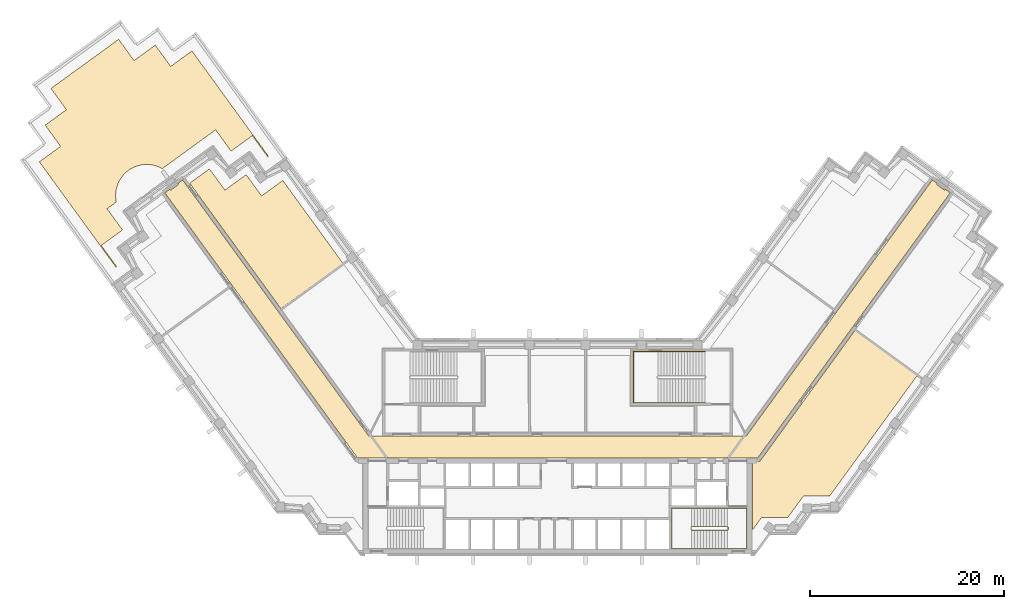
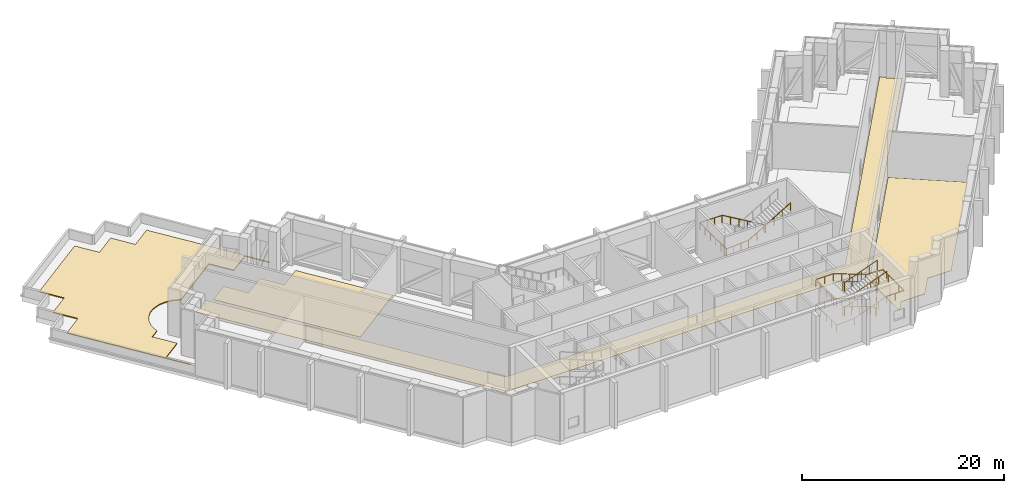
# One storey, part 15 of 16: 4 coverings, 3 railings.
"""IFC4 building model written with IfcOpenShell, lengths in metres."""

from ifc_helpers import new_model, si_unit, direction, frame, origin, origin_2d, place, context, subcontext, project, spatial, polyline, circle, outline, extrude, material, layer, layer_set, type_object, element, save


model = new_model("IFC4")

# Units and contexts
model_context = context("Model", 3, precision=1e-05, world=origin(), true_north=direction((0.0, 1.0)))
body_context = subcontext(model_context, "Body", "Model", "MODEL_VIEW")
ifc_project = project(units=[si_unit("LENGTHUNIT", "METRE"), si_unit("AREAUNIT", "SQUARE_METRE"), si_unit("VOLUMEUNIT", "CUBIC_METRE"), si_unit("PLANEANGLEUNIT", "RADIAN"), si_unit("MASSUNIT", "GRAM", prefix="KILO")], contexts=[model_context])

# Site, building, storey
site_placement = place(None, origin())
site = spatial("IfcSite", under=ifc_project, at=site_placement, CompositionType="ELEMENT")
building_placement = place(site_placement, origin())
building = spatial("IfcBuilding", under=site, at=building_placement, Name="Quipu Civic Tower", CompositionType="ELEMENT")
storey_placement = place(building_placement, frame((0.0, 0.0, 133.0)))
storey = spatial("IfcBuildingStorey", under=building, at=storey_placement, Name="L31", CompositionType="ELEMENT", Elevation=133.0)

# Coverings
ifc_material_1 = material(Name="Roof membrane and gravel ballast")
ifc_layer_1 = layer(ifc_material_1, 0.1201171875)
ifc_layer_set_1 = layer_set([ifc_layer_1], Name="Roof membrane and gravel ballast")
covering_type_1 = type_object("IfcCoveringType", Name="Roof membrane and ballast build-up", PredefinedType="ROOFING", material=ifc_layer_set_1)
covering_1_placement = place(storey_placement, origin())
element("IfcCovering", 1, at=covering_1_placement, inside=storey, type_object=covering_type_1, Name="Roof build-up L31 1", PredefinedType="ROOFING", context=body_context, shape_type="SweptSolid", body=[
    extrude(outline(polyline([(-51.1142578125, 30.916015625), (-52.701171875, 33.100341796875), (-50.516845703125, 34.687255859375), (-52.10400390625, 36.87158203125), (-45.146484375, 41.926513671875), (-43.559326171875, 39.7421875), (-41.375, 41.329345703125), (-39.7880859375, 39.14501953125), (-37.603515625, 40.73193359375), (-29.727294921875, 29.89111328125), (-29.80810546875, 29.832275390625), (-31.395263671875, 32.0166015625), (-33.57958984375, 30.4296875), (-35.16650390625, 32.614013671875), (-40.6513671875, 28.629150390625), (-41.025390625, 28.8173828125), (-41.321044921875, 28.923095703125), (-41.625732421875, 28.99951171875), (-41.936279296875, 29.045654296875), (-42.25, 29.06103515625), (-42.563720703125, 29.045654296875), (-42.874267578125, 28.99951171875), (-43.178955078125, 28.923095703125), (-43.474609375, 28.8173828125), (-43.758544921875, 28.68310546875), (-44.02783203125, 28.521728515625), (-44.280029296875, 28.334716796875), (-44.5126953125, 28.123779296875), (-44.7236328125, 27.89111328125), (-44.91064453125, 27.638916015625), (-45.072021484375, 27.369384765625), (-45.206298828125, 27.085693359375), (-45.312255859375, 26.789794921875), (-45.388427734375, 26.4853515625), (-45.4345703125, 26.1748046875), (-45.449951171875, 25.861083984375), (-45.4345703125, 25.54736328125), (-45.378173828125, 25.195068359375), (-46.3310546875, 24.502685546875), (-44.743896484375, 22.318115234375), (-46.928466796875, 20.731201171875), (-45.34130859375, 18.546875), (-45.422119140625, 18.488037109375), (-53.298583984375, 29.328857421875), (-51.1142578125, 30.916015625)])), origin(), (0.0, 0.0, 1.0), 0.1201171875),
])
ifc_material_2 = material(Name="Sealed cement screed")
ifc_layer_2 = layer(ifc_material_2, 0.050048828125)
ifc_layer_set_2 = layer_set([ifc_layer_2], Name="Sealed cement screed")
covering_type_2 = type_object("IfcCoveringType", Name="Sealed screed floor finish 50", PredefinedType="FLOORING", material=ifc_layer_set_2)
covering_2_placement = place(storey_placement, origin())
element("IfcCovering", 2, at=covering_2_placement, inside=storey, type_object=covering_type_2, Name="Sealed screed floor finish 50", PredefinedType="FLOORING", context=body_context, shape_type="SweptSolid", body=[
    extrude(outline(polyline([(-37.83203125, 27.1298828125), (-35.801025390625, 28.60498046875), (-34.212890625, 26.4208984375), (-32.030029296875, 28.008056640625), (-30.44189453125, 25.823974609375), (-28.258056640625, 27.409912109375), (-22.054931640625, 18.87109375), (-28.4541015625, 14.221923828125), (-37.83203125, 27.1298828125)])), origin(), (0.0, 0.0, 1.0), 0.050048828125),
])
covering_3_placement = place(storey_placement, origin())
element("IfcCovering", 3, at=covering_3_placement, inside=storey, type_object=covering_type_2, Name="Sealed screed floor finish 50", PredefinedType="FLOORING", context=body_context, shape_type="SweptSolid", body=[
    extrude(outline(polyline([(20.070068359375, -8.514892578125), (20.070068359375, -1.52001953125), (20.77490234375, -1.51904296875), (30.590087890625, 11.989990234375), (36.989013671875, 7.341064453125), (27.97900390625, -5.06103515625), (25.279052734375, -5.06103515625), (23.69189453125, -7.24609375), (20.991943359375, -7.24609375), (20.070068359375, -8.514892578125)])), origin(), (0.0, 0.0, 1.0), 0.050048828125),
])

# Railings
ifc_material_3 = material(Name="Stainless steel", Category="steel")
railing_type_1 = type_object("IfcRailingType", Name="Stair guard 1100", PredefinedType="GUARDRAIL", material=ifc_material_3)
railing_1_placement = place(storey_placement, frame((17.5, -8.199951171875, 0.115478515625)))
element("IfcRailing", 4, at=railing_1_placement, inside=storey, type_object=railing_type_1, Name="Stair 2 guard", PredefinedType="GUARDRAIL", context=body_context, shape_type="SweptSolid", body=[
    extrude(circle(Radius=0.02392578125, at=origin_2d()), frame((0.0, 0.0, 1.076171875), z_axis=(-0.937193329374, 0.0, 0.348810354458), x_axis=(0.0, -1.0, 0.0)), (0.0, 0.0, 1.0), 3.96923828125),
    extrude(circle(Radius=0.02392578125, at=origin_2d()), frame((-3.719970703125, 0.0, 2.46044921875), z_axis=(-0.707106781187, -0.707106781187, 0.0), x_axis=(0.707106781187, -0.707106781187, 0.0)), (0.0, 0.0, 1.0), 0.07080078125),
    extrude(circle(Radius=0.02392578125, at=origin_2d()), frame((-3.77001953125, -0.050048828125, 2.46044921875), z_axis=(0.0, -1.0, 0.0), x_axis=(1.0, 0.0, 0.0)), (0.0, 0.0, 1.0), 0.25),
    extrude(circle(Radius=0.02392578125, at=origin_2d()), frame((-3.77001953125, -0.300048828125, 2.46044921875), z_axis=(0.3695169537, -0.3695169537, 0.852592776099), x_axis=(0.707106781187, 0.707106781187, 0.0)), (0.0, 0.0, 1.0), 0.135498046875),
    extrude(circle(Radius=0.02392578125, at=origin_2d()), frame((-3.719970703125, -0.35009765625, 2.576171875), z_axis=(0.937193329374, 0.0, 0.348810354458), x_axis=(0.0, 1.0, 0.0)), (0.0, 0.0, 1.0), 3.96923828125),
    extrude(circle(Radius=0.02392578125, at=origin_2d()), frame((0.0, -0.35009765625, 3.96044921875), z_axis=(0.164529134168, 0.986372223864, 0.0), x_axis=(-0.986372223864, 0.164529134168, 0.0)), (0.0, 0.0, 1.0), 0.30419921875),
    extrude(circle(Radius=0.02392578125, at=origin_2d()), frame((0.050048828125, -0.050048828125, 3.96044921875), z_axis=(0.0, -1.0, 0.0), x_axis=(1.0, 0.0, 0.0)), (0.0, 0.0, 1.0), 0.25),
    extrude(circle(Radius=0.02392578125, at=origin_2d()), frame((0.050048828125, -0.300048828125, 3.96044921875), z_axis=(-0.153818488509, 0.922160596963, 0.354908024706), x_axis=(-0.986372223864, -0.164529134168, 0.0)), (0.0, 0.0, 1.0), 0.325439453125),
    extrude(circle(Radius=0.02392578125, at=origin_2d()), frame((0.0, 0.0, 4.076171875), z_axis=(-0.937193329374, 0.0, 0.348810354458), x_axis=(0.0, -1.0, 0.0)), (0.0, 0.0, 1.0), 3.96923828125),
    extrude(circle(Radius=0.02392578125, at=origin_2d()), frame((-3.719970703125, 0.0, 5.46044921875), z_axis=(-0.707106781187, -0.707106781187, 0.0), x_axis=(0.707106781187, -0.707106781187, 0.0)), (0.0, 0.0, 1.0), 0.07080078125),
    extrude(circle(Radius=0.02392578125, at=origin_2d()), frame((-3.77001953125, -0.050048828125, 5.46044921875), z_axis=(0.0, -1.0, 0.0), x_axis=(1.0, 0.0, 0.0)), (0.0, 0.0, 1.0), 0.25),
    extrude(circle(Radius=0.02392578125, at=origin_2d()), frame((-3.77001953125, -0.300048828125, 5.46044921875), z_axis=(0.3695169537, -0.3695169537, 0.852592776099), x_axis=(0.707106781187, 0.707106781187, 0.0)), (0.0, 0.0, 1.0), 0.135498046875),
    extrude(circle(Radius=0.02392578125, at=origin_2d()), frame((-3.719970703125, -0.35009765625, 5.576171875), z_axis=(0.937193329374, 0.0, 0.348810354458), x_axis=(0.0, 1.0, 0.0)), (0.0, 0.0, 1.0), 3.96923828125),
    extrude(circle(Radius=0.02392578125, at=origin_2d()), frame((0.0, -0.35009765625, 6.96044921875), z_axis=(0.008330771543, 0.049943991347, -0.998717275296), x_axis=(-0.986372223864, 0.164529134168, 0.0)), (0.0, 0.0, 1.0), 6.0078125),
    extrude(circle(Radius=0.02392578125, at=origin_2d()), frame((0.050048828125, -0.050048828125, 0.96044921875), z_axis=(0.0, -1.0, 0.0), x_axis=(1.0, 0.0, 0.0)), (0.0, 0.0, 1.0), 0.25),
    extrude(circle(Radius=0.02099609375, at=origin_2d()), origin(), (0.0, 0.0, 1.0), 1.052001953125),
    extrude(circle(Radius=0.02099609375, at=origin_2d()), frame((-0.929931640625, 0.0, 0.34619140625)), (0.0, 0.0, 1.0), 1.052001953125),
    extrude(circle(Radius=0.02099609375, at=origin_2d()), frame((-1.85986328125, 0.0, 0.6923828125)), (0.0, 0.0, 1.0), 1.052001953125),
    extrude(circle(Radius=0.02099609375, at=origin_2d()), frame((-2.7900390625, 0.0, 1.038330078125)), (0.0, 0.0, 1.0), 1.052001953125),
    extrude(circle(Radius=0.02099609375, at=origin_2d()), frame((-3.719970703125, 0.0, 1.384521484375)), (0.0, 0.0, 1.0), 1.052001953125),
    extrude(circle(Radius=0.02099609375, at=origin_2d()), frame((-3.77001953125, -0.050048828125, 1.384521484375)), (0.0, 0.0, 1.0), 1.052001953125),
    extrude(circle(Radius=0.02099609375, at=origin_2d()), frame((-3.77001953125, -0.300048828125, 1.384521484375)), (0.0, 0.0, 1.0), 1.052001953125),
    extrude(circle(Radius=0.02099609375, at=origin_2d()), frame((-3.719970703125, -0.35009765625, 1.5)), (0.0, 0.0, 1.0), 1.052001953125),
    extrude(circle(Radius=0.02099609375, at=origin_2d()), frame((-2.7900390625, -0.35009765625, 1.84619140625)), (0.0, 0.0, 1.0), 1.052001953125),
    extrude(circle(Radius=0.02099609375, at=origin_2d()), frame((-1.85986328125, -0.35009765625, 2.1923828125)), (0.0, 0.0, 1.0), 1.052001953125),
    extrude(circle(Radius=0.02099609375, at=origin_2d()), frame((-0.929931640625, -0.35009765625, 2.538330078125)), (0.0, 0.0, 1.0), 1.052001953125),
    extrude(circle(Radius=0.02099609375, at=origin_2d()), frame((0.0, -0.35009765625, 2.884521484375)), (0.0, 0.0, 1.0), 1.052001953125),
    extrude(circle(Radius=0.02099609375, at=origin_2d()), frame((0.050048828125, -0.050048828125, 2.884521484375)), (0.0, 0.0, 1.0), 1.052001953125),
    extrude(circle(Radius=0.02099609375, at=origin_2d()), frame((0.050048828125, -0.300048828125, 2.884521484375)), (0.0, 0.0, 1.0), 1.052001953125),
    extrude(circle(Radius=0.02099609375, at=origin_2d()), frame((0.0, 0.0, 3.0)), (0.0, 0.0, 1.0), 1.052001953125),
    extrude(circle(Radius=0.02099609375, at=origin_2d()), frame((-0.929931640625, 0.0, 3.34619140625)), (0.0, 0.0, 1.0), 1.052001953125),
    extrude(circle(Radius=0.02099609375, at=origin_2d()), frame((-1.85986328125, 0.0, 3.6923828125)), (0.0, 0.0, 1.0), 1.052001953125),
    extrude(circle(Radius=0.02099609375, at=origin_2d()), frame((-2.7900390625, 0.0, 4.038330078125)), (0.0, 0.0, 1.0), 1.052001953125),
    extrude(circle(Radius=0.02099609375, at=origin_2d()), frame((-3.719970703125, 0.0, 4.384521484375)), (0.0, 0.0, 1.0), 1.052001953125),
    extrude(circle(Radius=0.02099609375, at=origin_2d()), frame((-3.77001953125, -0.050048828125, 4.384521484375)), (0.0, 0.0, 1.0), 1.052001953125),
    extrude(circle(Radius=0.02099609375, at=origin_2d()), frame((-3.77001953125, -0.300048828125, 4.384521484375)), (0.0, 0.0, 1.0), 1.052001953125),
    extrude(circle(Radius=0.02099609375, at=origin_2d()), frame((-3.719970703125, -0.35009765625, 4.5)), (0.0, 0.0, 1.0), 1.052001953125),
    extrude(circle(Radius=0.02099609375, at=origin_2d()), frame((-2.7900390625, -0.35009765625, 4.84619140625)), (0.0, 0.0, 1.0), 1.052001953125),
    extrude(circle(Radius=0.02099609375, at=origin_2d()), frame((-1.85986328125, -0.35009765625, 5.1923828125)), (0.0, 0.0, 1.0), 1.052001953125),
    extrude(circle(Radius=0.02099609375, at=origin_2d()), frame((-0.929931640625, -0.35009765625, 5.538330078125)), (0.0, 0.0, 1.0), 1.052001953125),
    extrude(circle(Radius=0.02099609375, at=origin_2d()), frame((0.0, -0.35009765625, 5.884521484375)), (0.0, 0.0, 1.0), 1.052001953125),
    extrude(circle(Radius=0.02099609375, at=origin_2d()), frame((0.00830078125, -0.300048828125, 4.884521484375)), (0.0, 0.0, 1.0), 1.052001953125),
    extrude(circle(Radius=0.02099609375, at=origin_2d()), frame((0.0166015625, -0.25, 3.884521484375)), (0.0, 0.0, 1.0), 1.052001953125),
    extrude(circle(Radius=0.02099609375, at=origin_2d()), frame((0.02490234375, -0.2001953125, 2.884521484375)), (0.0, 0.0, 1.0), 1.052001953125),
    extrude(circle(Radius=0.02099609375, at=origin_2d()), frame((0.033447265625, -0.150146484375, 1.884521484375)), (0.0, 0.0, 1.0), 1.052001953125),
    extrude(circle(Radius=0.02099609375, at=origin_2d()), frame((0.041748046875, -0.10009765625, 0.884521484375)), (0.0, 0.0, 1.0), 1.052001953125),
    extrude(circle(Radius=0.02099609375, at=origin_2d()), frame((0.050048828125, -0.050048828125, -0.115478515625)), (0.0, 0.0, 1.0), 1.052001953125),
    extrude(circle(Radius=0.02099609375, at=origin_2d()), frame((0.050048828125, -0.300048828125, -0.115478515625)), (0.0, 0.0, 1.0), 1.052001953125),
])
ifc_material_4 = material(Name="Stainless steel", Category="steel")
railing_type_2 = type_object("IfcRailingType", Name="Stair handrail", PredefinedType="HANDRAIL", material=ifc_material_4)
railing_2_placement = place(storey_placement, frame((17.5, -6.300048828125, 0.115478515625)))
element("IfcRailing", 5, at=railing_2_placement, inside=storey, type_object=railing_type_2, Name="Stair 2 handrail", PredefinedType="HANDRAIL", context=body_context, shape_type="SweptSolid", body=[
    extrude(circle(Radius=0.02392578125, at=origin_2d()), frame((0.0, 0.0, 0.8759765625), z_axis=(-0.937193329374, 0.0, 0.348810354458), x_axis=(0.0, -1.0, 0.0)), (0.0, 0.0, 1.0), 3.96923828125),
    extrude(circle(Radius=0.02392578125, at=origin_2d()), frame((-3.719970703125, 0.0, 2.26025390625), z_axis=(-1.0, 0.0, 0.0), x_axis=(0.0, -1.0, 0.0)), (0.0, 0.0, 1.0), 2.030029296875),
    extrude(circle(Radius=0.02392578125, at=origin_2d()), frame((-5.75, 0.0, 2.26025390625), z_axis=(0.0, -1.0, 0.0), x_axis=(1.0, 0.0, 0.0)), (0.0, 0.0, 1.0), 4.14990234375),
    extrude(circle(Radius=0.02392578125, at=origin_2d()), frame((-5.75, -4.14990234375, 2.26025390625), z_axis=(0.99838595614, 0.0, 0.056793332201), x_axis=(0.0, 1.0, 0.0)), (0.0, 0.0, 1.0), 2.033203125),
    extrude(circle(Radius=0.02392578125, at=origin_2d()), frame((-3.719970703125, -4.14990234375, 2.3759765625), z_axis=(0.937193329374, 0.0, 0.348810354458), x_axis=(0.0, 1.0, 0.0)), (0.0, 0.0, 1.0), 3.96923828125),
    extrude(circle(Radius=0.02392578125, at=origin_2d()), frame((0.0, -4.14990234375, 3.76025390625), z_axis=(1.0, 0.0, 0.0), x_axis=(0.0, 1.0, 0.0)), (0.0, 0.0, 1.0), 1.949951171875),
    extrude(circle(Radius=0.02392578125, at=origin_2d()), frame((1.949951171875, -4.14990234375, 3.76025390625), z_axis=(0.0, 1.0, 0.0), x_axis=(-1.0, 0.0, 0.0)), (0.0, 0.0, 1.0), 4.14990234375),
    extrude(circle(Radius=0.02392578125, at=origin_2d()), frame((1.949951171875, 0.0, 3.76025390625), z_axis=(-0.998251021802, 0.0, 0.059117657858), x_axis=(0.0, -1.0, 0.0)), (0.0, 0.0, 1.0), 1.953369140625),
    extrude(circle(Radius=0.02392578125, at=origin_2d()), frame((0.0, 0.0, 3.8759765625), z_axis=(-0.937193329374, 0.0, 0.348810354458), x_axis=(0.0, -1.0, 0.0)), (0.0, 0.0, 1.0), 3.96923828125),
    extrude(circle(Radius=0.02392578125, at=origin_2d()), frame((-3.719970703125, 0.0, 5.26025390625), z_axis=(-1.0, 0.0, 0.0), x_axis=(0.0, -1.0, 0.0)), (0.0, 0.0, 1.0), 2.030029296875),
    extrude(circle(Radius=0.02392578125, at=origin_2d()), frame((-5.75, 0.0, 5.26025390625), z_axis=(0.0, -1.0, 0.0), x_axis=(1.0, 0.0, 0.0)), (0.0, 0.0, 1.0), 4.14990234375),
    extrude(circle(Radius=0.02392578125, at=origin_2d()), frame((-5.75, -4.14990234375, 5.26025390625), z_axis=(0.99838595614, 0.0, 0.056793332201), x_axis=(0.0, 1.0, 0.0)), (0.0, 0.0, 1.0), 2.033203125),
    extrude(circle(Radius=0.02392578125, at=origin_2d()), frame((-3.719970703125, -4.14990234375, 5.3759765625), z_axis=(0.937193329374, 0.0, 0.348810354458), x_axis=(0.0, 1.0, 0.0)), (0.0, 0.0, 1.0), 3.96923828125),
    extrude(circle(Radius=0.02099609375, at=origin_2d()), origin(), (0.0, 0.0, 1.0), 0.851806640625),
    extrude(circle(Radius=0.02099609375, at=origin_2d()), frame((-0.929931640625, 0.0, 0.34619140625)), (0.0, 0.0, 1.0), 0.851806640625),
    extrude(circle(Radius=0.02099609375, at=origin_2d()), frame((-1.85986328125, 0.0, 0.6923828125)), (0.0, 0.0, 1.0), 0.851806640625),
    extrude(circle(Radius=0.02099609375, at=origin_2d()), frame((-2.7900390625, 0.0, 1.038330078125)), (0.0, 0.0, 1.0), 0.851806640625),
    extrude(circle(Radius=0.02099609375, at=origin_2d()), frame((-3.719970703125, 0.0, 1.384521484375)), (0.0, 0.0, 1.0), 0.851806640625),
    extrude(circle(Radius=0.02099609375, at=origin_2d()), frame((-4.73486328125, 0.0, 1.384521484375)), (0.0, 0.0, 1.0), 0.851806640625),
    extrude(circle(Radius=0.02099609375, at=origin_2d()), frame((-5.75, 0.0, 1.384521484375)), (0.0, 0.0, 1.0), 0.851806640625),
    extrude(circle(Radius=0.02099609375, at=origin_2d()), frame((-5.75, -1.03759765625, 1.384521484375)), (0.0, 0.0, 1.0), 0.851806640625),
    extrude(circle(Radius=0.02099609375, at=origin_2d()), frame((-5.75, -2.074951171875, 1.384521484375)), (0.0, 0.0, 1.0), 0.851806640625),
    extrude(circle(Radius=0.02099609375, at=origin_2d()), frame((-5.75, -3.1123046875, 1.384521484375)), (0.0, 0.0, 1.0), 0.851806640625),
    extrude(circle(Radius=0.02099609375, at=origin_2d()), frame((-5.75, -4.14990234375, 1.384521484375)), (0.0, 0.0, 1.0), 0.851806640625),
    extrude(circle(Radius=0.02099609375, at=origin_2d()), frame((-4.73486328125, -4.14990234375, 1.4423828125)), (0.0, 0.0, 1.0), 0.851806640625),
    extrude(circle(Radius=0.02099609375, at=origin_2d()), frame((-3.719970703125, -4.14990234375, 1.5)), (0.0, 0.0, 1.0), 0.851806640625),
    extrude(circle(Radius=0.02099609375, at=origin_2d()), frame((-2.7900390625, -4.14990234375, 1.84619140625)), (0.0, 0.0, 1.0), 0.851806640625),
    extrude(circle(Radius=0.02099609375, at=origin_2d()), frame((-1.85986328125, -4.14990234375, 2.1923828125)), (0.0, 0.0, 1.0), 0.851806640625),
    extrude(circle(Radius=0.02099609375, at=origin_2d()), frame((-0.929931640625, -4.14990234375, 2.538330078125)), (0.0, 0.0, 1.0), 0.851806640625),
    extrude(circle(Radius=0.02099609375, at=origin_2d()), frame((0.0, -4.14990234375, 2.884521484375)), (0.0, 0.0, 1.0), 0.851806640625),
    extrude(circle(Radius=0.02099609375, at=origin_2d()), frame((0.97509765625, -4.14990234375, 2.884521484375)), (0.0, 0.0, 1.0), 0.851806640625),
    extrude(circle(Radius=0.02099609375, at=origin_2d()), frame((1.949951171875, -4.14990234375, 2.884521484375)), (0.0, 0.0, 1.0), 0.851806640625),
    extrude(circle(Radius=0.02099609375, at=origin_2d()), frame((1.949951171875, -3.1123046875, 2.884521484375)), (0.0, 0.0, 1.0), 0.851806640625),
    extrude(circle(Radius=0.02099609375, at=origin_2d()), frame((1.949951171875, -2.074951171875, 2.884521484375)), (0.0, 0.0, 1.0), 0.851806640625),
    extrude(circle(Radius=0.02099609375, at=origin_2d()), frame((1.949951171875, -1.03759765625, 2.884521484375)), (0.0, 0.0, 1.0), 0.851806640625),
    extrude(circle(Radius=0.02099609375, at=origin_2d()), frame((1.949951171875, 0.0, 2.884521484375)), (0.0, 0.0, 1.0), 0.851806640625),
    extrude(circle(Radius=0.02099609375, at=origin_2d()), frame((0.97509765625, 0.0, 2.9423828125)), (0.0, 0.0, 1.0), 0.851806640625),
    extrude(circle(Radius=0.02099609375, at=origin_2d()), frame((0.0, 0.0, 3.0)), (0.0, 0.0, 1.0), 0.851806640625),
    extrude(circle(Radius=0.02099609375, at=origin_2d()), frame((-0.929931640625, 0.0, 3.34619140625)), (0.0, 0.0, 1.0), 0.851806640625),
    extrude(circle(Radius=0.02099609375, at=origin_2d()), frame((-1.85986328125, 0.0, 3.6923828125)), (0.0, 0.0, 1.0), 0.851806640625),
    extrude(circle(Radius=0.02099609375, at=origin_2d()), frame((-2.7900390625, 0.0, 4.038330078125)), (0.0, 0.0, 1.0), 0.851806640625),
    extrude(circle(Radius=0.02099609375, at=origin_2d()), frame((-3.719970703125, 0.0, 4.384521484375)), (0.0, 0.0, 1.0), 0.851806640625),
    extrude(circle(Radius=0.02099609375, at=origin_2d()), frame((-4.73486328125, 0.0, 4.384521484375)), (0.0, 0.0, 1.0), 0.851806640625),
    extrude(circle(Radius=0.02099609375, at=origin_2d()), frame((-5.75, 0.0, 4.384521484375)), (0.0, 0.0, 1.0), 0.851806640625),
    extrude(circle(Radius=0.02099609375, at=origin_2d()), frame((-5.75, -1.03759765625, 4.384521484375)), (0.0, 0.0, 1.0), 0.851806640625),
    extrude(circle(Radius=0.02099609375, at=origin_2d()), frame((-5.75, -2.074951171875, 4.384521484375)), (0.0, 0.0, 1.0), 0.851806640625),
    extrude(circle(Radius=0.02099609375, at=origin_2d()), frame((-5.75, -3.1123046875, 4.384521484375)), (0.0, 0.0, 1.0), 0.851806640625),
    extrude(circle(Radius=0.02099609375, at=origin_2d()), frame((-5.75, -4.14990234375, 4.384521484375)), (0.0, 0.0, 1.0), 0.851806640625),
    extrude(circle(Radius=0.02099609375, at=origin_2d()), frame((-4.73486328125, -4.14990234375, 4.4423828125)), (0.0, 0.0, 1.0), 0.851806640625),
    extrude(circle(Radius=0.02099609375, at=origin_2d()), frame((-3.719970703125, -4.14990234375, 4.5)), (0.0, 0.0, 1.0), 0.851806640625),
    extrude(circle(Radius=0.02099609375, at=origin_2d()), frame((-2.7900390625, -4.14990234375, 4.84619140625)), (0.0, 0.0, 1.0), 0.851806640625),
    extrude(circle(Radius=0.02099609375, at=origin_2d()), frame((-1.85986328125, -4.14990234375, 5.1923828125)), (0.0, 0.0, 1.0), 0.851806640625),
    extrude(circle(Radius=0.02099609375, at=origin_2d()), frame((-0.929931640625, -4.14990234375, 5.538330078125)), (0.0, 0.0, 1.0), 0.851806640625),
    extrude(circle(Radius=0.02099609375, at=origin_2d()), frame((0.0, -4.14990234375, 5.884521484375)), (0.0, 0.0, 1.0), 0.851806640625),
])
railing_3_placement = place(storey_placement, frame((15.14990234375, 9.800048828125, 0.176513671875)))
element("IfcRailing", 6, at=railing_3_placement, inside=storey, type_object=railing_type_2, Name="Stair 4 handrail", PredefinedType="HANDRAIL", context=body_context, shape_type="SweptSolid", body=[
    extrude(circle(Radius=0.02392578125, at=origin_2d()), frame((0.0, 0.0, 0.8759765625), z_axis=(-0.86192857992, 0.0, 0.507029706346), x_axis=(0.0, -1.0, 0.0)), (0.0, 0.0, 1.0), 5.568603515625),
    extrude(circle(Radius=0.02392578125, at=origin_2d()), frame((-4.7998046875, 0.0, 3.69921875), z_axis=(-1.0, 0.0, 0.0), x_axis=(0.0, -1.0, 0.0)), (0.0, 0.0, 1.0), 2.550048828125),
    extrude(circle(Radius=0.02392578125, at=origin_2d()), frame((-7.349853515625, 0.0, 3.69921875), z_axis=(0.0, -1.0, 0.0), x_axis=(1.0, 0.0, 0.0)), (0.0, 0.0, 1.0), 5.25),
    extrude(circle(Radius=0.02392578125, at=origin_2d()), frame((-7.349853515625, -5.25, 3.69921875), z_axis=(0.997612889748, 0.0, 0.069054487246), x_axis=(0.0, 1.0, 0.0)), (0.0, 0.0, 1.0), 2.55615234375),
    extrude(circle(Radius=0.02392578125, at=origin_2d()), frame((-4.7998046875, -5.25, 3.8759765625), z_axis=(0.86192857992, 0.0, 0.507029706346), x_axis=(0.0, 1.0, 0.0)), (0.0, 0.0, 1.0), 5.568603515625),
    extrude(circle(Radius=0.02099609375, at=origin_2d()), origin(), (0.0, 0.0, 1.0), 0.851806640625),
    extrude(circle(Radius=0.02099609375, at=origin_2d()), frame((-0.9599609375, 0.0, 0.564697265625)), (0.0, 0.0, 1.0), 0.851806640625),
    extrude(circle(Radius=0.02099609375, at=origin_2d()), frame((-1.919921875, 0.0, 1.12939453125)), (0.0, 0.0, 1.0), 0.851806640625),
    extrude(circle(Radius=0.02099609375, at=origin_2d()), frame((-2.8798828125, 0.0, 1.694091796875)), (0.0, 0.0, 1.0), 0.851806640625),
    extrude(circle(Radius=0.02099609375, at=origin_2d()), frame((-3.83984375, 0.0, 2.2587890625)), (0.0, 0.0, 1.0), 0.851806640625),
    extrude(circle(Radius=0.02099609375, at=origin_2d()), frame((-4.7998046875, 0.0, 2.823486328125)), (0.0, 0.0, 1.0), 0.851806640625),
    extrude(circle(Radius=0.02099609375, at=origin_2d()), frame((-5.64990234375, 0.0, 2.823486328125)), (0.0, 0.0, 1.0), 0.851806640625),
    extrude(circle(Radius=0.02099609375, at=origin_2d()), frame((-6.499755859375, 0.0, 2.823486328125)), (0.0, 0.0, 1.0), 0.851806640625),
    extrude(circle(Radius=0.02099609375, at=origin_2d()), frame((-7.349853515625, 0.0, 2.823486328125)), (0.0, 0.0, 1.0), 0.851806640625),
    extrude(circle(Radius=0.02099609375, at=origin_2d()), frame((-7.349853515625, -1.050048828125, 2.823486328125)), (0.0, 0.0, 1.0), 0.851806640625),
    extrude(circle(Radius=0.02099609375, at=origin_2d()), frame((-7.349853515625, -2.10009765625, 2.823486328125)), (0.0, 0.0, 1.0), 0.851806640625),
    extrude(circle(Radius=0.02099609375, at=origin_2d()), frame((-7.349853515625, -3.14990234375, 2.823486328125)), (0.0, 0.0, 1.0), 0.851806640625),
    extrude(circle(Radius=0.02099609375, at=origin_2d()), frame((-7.349853515625, -4.199951171875, 2.823486328125)), (0.0, 0.0, 1.0), 0.851806640625),
    extrude(circle(Radius=0.02099609375, at=origin_2d()), frame((-7.349853515625, -5.25, 2.823486328125)), (0.0, 0.0, 1.0), 0.851806640625),
    extrude(circle(Radius=0.02099609375, at=origin_2d()), frame((-6.499755859375, -5.25, 2.88232421875)), (0.0, 0.0, 1.0), 0.851806640625),
    extrude(circle(Radius=0.02099609375, at=origin_2d()), frame((-5.64990234375, -5.25, 2.941162109375)), (0.0, 0.0, 1.0), 0.851806640625),
    extrude(circle(Radius=0.02099609375, at=origin_2d()), frame((-4.7998046875, -5.25, 3.0)), (0.0, 0.0, 1.0), 0.851806640625),
    extrude(circle(Radius=0.02099609375, at=origin_2d()), frame((-3.83984375, -5.25, 3.564697265625)), (0.0, 0.0, 1.0), 0.851806640625),
    extrude(circle(Radius=0.02099609375, at=origin_2d()), frame((-2.8798828125, -5.25, 4.12939453125)), (0.0, 0.0, 1.0), 0.851806640625),
    extrude(circle(Radius=0.02099609375, at=origin_2d()), frame((-1.919921875, -5.25, 4.694091796875)), (0.0, 0.0, 1.0), 0.851806640625),
    extrude(circle(Radius=0.02099609375, at=origin_2d()), frame((-0.9599609375, -5.25, 5.2587890625)), (0.0, 0.0, 1.0), 0.851806640625),
    extrude(circle(Radius=0.02099609375, at=origin_2d()), frame((0.0, -5.25, 5.823486328125)), (0.0, 0.0, 1.0), 0.851806640625),
])

# Covering
ifc_material_5 = material(Name="Terrazzo floor finish")
ifc_layer_3 = layer(ifc_material_5, 0.0400390625)
ifc_layer_set_3 = layer_set([ifc_layer_3], Name="Terrazzo floor finish")
covering_type_3 = type_object("IfcCoveringType", Name="Terrazzo floor finish 40", PredefinedType="FLOORING", material=ifc_layer_set_3)
covering_4_placement = place(storey_placement, origin())
element("IfcCovering", 7, at=covering_4_placement, inside=storey, type_object=covering_type_3, Name="Terrazzo floor finish 40", PredefinedType="FLOORING", context=body_context, shape_type="SweptSolid", body=[
    extrude(outline(polyline([(38.55908203125, 27.467041015625), (39.069091796875, 27.096923828125), (39.02197265625, 27.031982421875), (39.01904296875, 27.028076171875), (39.01708984375, 27.02294921875), (39.014892578125, 27.01904296875), (39.013916015625, 27.013916015625), (39.012939453125, 27.009033203125), (39.011962890625, 27.00390625), (39.011962890625, 27.0), (39.012939453125, 26.9951171875), (39.013916015625, 26.989990234375), (39.014892578125, 26.985107421875), (39.01708984375, 26.98095703125), (39.02001953125, 26.97607421875), (39.02197265625, 26.971923828125), (39.02490234375, 26.968994140625), (39.029052734375, 26.965087890625), (39.032958984375, 26.9619140625), (39.760986328125, 26.43310546875), (39.764892578125, 26.429931640625), (39.76904296875, 26.427978515625), (39.77392578125, 26.426025390625), (39.779052734375, 26.425048828125), (39.782958984375, 26.424072265625), (39.7880859375, 26.423095703125), (39.79296875, 26.424072265625), (39.798095703125, 26.424072265625), (39.802978515625, 26.425048828125), (39.80810546875, 26.427001953125), (39.81201171875, 26.427978515625), (39.81591796875, 26.430908203125), (39.820068359375, 26.43408203125), (39.823974609375, 26.43701171875), (39.827880859375, 26.43994140625), (39.8310546875, 26.444091796875), (39.8779296875, 26.509033203125), (40.386962890625, 26.138916015625), (20.574951171875, -1.1298828125), (-20.574951171875, -1.1298828125), (-40.386962890625, 26.138916015625), (-39.8779296875, 26.509033203125), (-39.8310546875, 26.444091796875), (-39.827880859375, 26.43994140625), (-39.823974609375, 26.43701171875), (-39.820068359375, 26.43408203125), (-39.81591796875, 26.430908203125), (-39.81201171875, 26.427978515625), (-39.80810546875, 26.427001953125), (-39.802978515625, 26.425048828125), (-39.798095703125, 26.424072265625), (-39.79296875, 26.424072265625), (-39.7880859375, 26.423095703125), (-39.782958984375, 26.424072265625), (-39.779052734375, 26.425048828125), (-39.77392578125, 26.426025390625), (-39.76904296875, 26.427978515625), (-39.764892578125, 26.429931640625), (-39.760986328125, 26.43310546875), (-39.032958984375, 26.9619140625), (-39.029052734375, 26.965087890625), (-39.02490234375, 26.968994140625), (-39.02197265625, 26.971923828125), (-39.02001953125, 26.97607421875), (-39.01708984375, 26.98095703125), (-39.014892578125, 26.985107421875), (-39.013916015625, 26.989990234375), (-39.012939453125, 26.9951171875), (-39.011962890625, 27.0), (-39.011962890625, 27.00390625), (-39.012939453125, 27.009033203125), (-39.013916015625, 27.013916015625), (-39.014892578125, 27.01904296875), (-39.01708984375, 27.02294921875), (-39.01904296875, 27.028076171875), (-39.02197265625, 27.031982421875), (-39.069091796875, 27.096923828125), (-38.55908203125, 27.467041015625), (-19.425048828125, 1.1298828125), (19.425048828125, 1.1298828125), (38.55908203125, 27.467041015625)])), origin(), (0.0, 0.0, 1.0), 0.0400390625),
])

save(model, "model.ifc")
